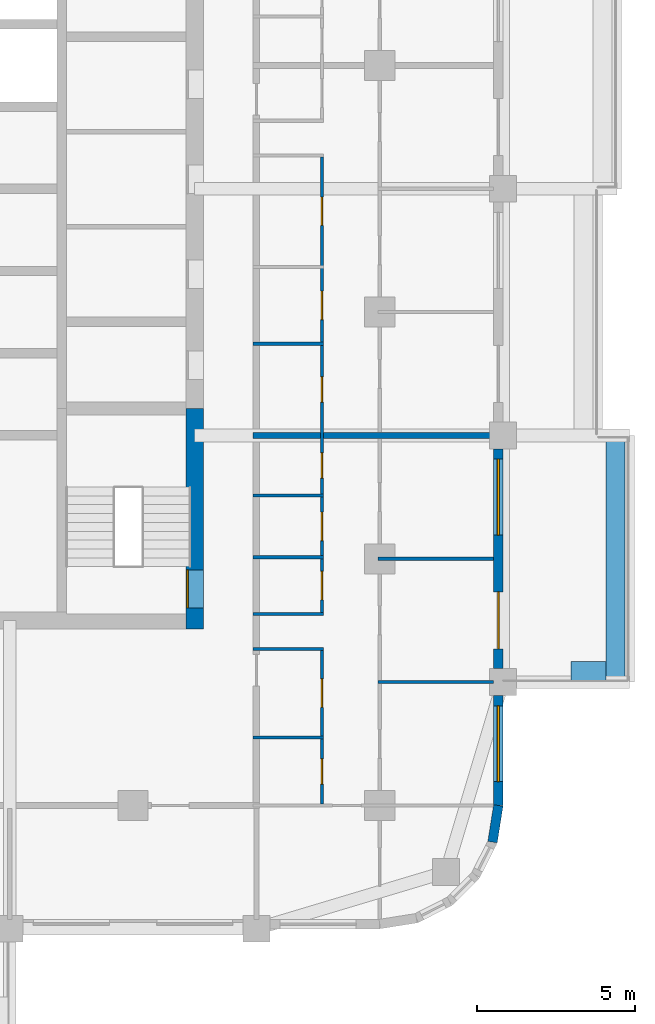
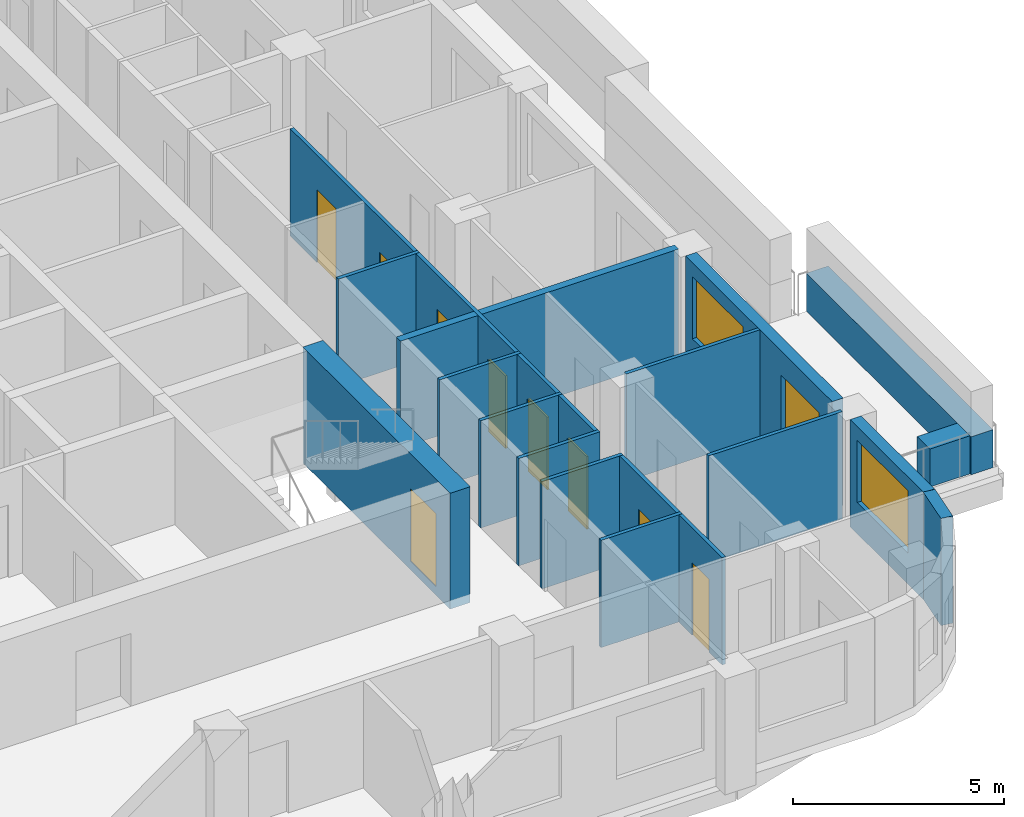
# One storey, part 6 of 14: 17 walls, 10 doors, 2 windows, 12 openings.
"""IFC4 building model written with IfcOpenShell, lengths in metres."""

from ifc_helpers import new_model, si_unit, direction, frame, frame_2d, origin, place, context, subcontext, project, spatial, rectangle, extrude, material, layer, layer_set, type_object, element, fill, save


model = new_model("IFC4")

# Units and contexts
model_context = context("Model", 3, precision=1e-05, world=origin(), true_north=direction((0.0, 1.0)))
body_context = subcontext(model_context, "Body", "Model", "MODEL_VIEW")
ifc_project = project(units=[si_unit("LENGTHUNIT", "METRE"), si_unit("AREAUNIT", "SQUARE_METRE"), si_unit("VOLUMEUNIT", "CUBIC_METRE"), si_unit("PLANEANGLEUNIT", "RADIAN"), si_unit("MASSUNIT", "GRAM", prefix="KILO")], contexts=[model_context])

# Site, building, storey
site_placement = place(None, origin())
site = spatial("IfcSite", under=ifc_project, at=site_placement, CompositionType="ELEMENT")
building_placement = place(site_placement, origin())
building = spatial("IfcBuilding", under=site, at=building_placement, Name="Ludao Terraces", CompositionType="ELEMENT")
storey_placement = place(building_placement, frame((0.0, 0.0, 140.699951171875)))
storey = spatial("IfcBuildingStorey", under=building, at=storey_placement, Name="L38", CompositionType="ELEMENT", Elevation=140.699951171875)

# Wall, opening, door
ifc_material_1 = material(Name="Concrete C60", Category="concrete")
ifc_layer_1 = layer(ifc_material_1, 0.550048828125)
ifc_layer_set_1 = layer_set([ifc_layer_1], Name="Core wall 550 C60")
wall_type_1 = type_object("IfcWallType", Name="Core wall 550 C60", PredefinedType="SOLIDWALL", material=ifc_layer_set_1)
wall_1_placement = place(storey_placement, frame((94.75, 54.97509765625, -0.25), z_axis=(0.0, 0.0, 1.0), x_axis=(0.0, 1.0, 0.0)))
wall_1 = element("IfcWall", 1, at=wall_1_placement, inside=storey, type_object=wall_type_1, Name="Core wall L38 outer-E-S3", PredefinedType="SOLIDWALL", context=body_context, shape_type="SweptSolid", body=[
    extrude(rectangle(XDim=6.974853515625, YDim=0.550048828125, at=frame_2d((3.4873046875, 0.0))), origin(), (0.0, 0.0, 1.0), 3.35009765625),
])
opening_1_placement = place(wall_1_placement, frame((0.675048828125, 0.0, 0.25)))
opening_1 = element("IfcOpeningElement", 2, at=opening_1_placement, cuts=wall_1, Name="Opening R13-020", PredefinedType="OPENING", context=body_context, shape_type="SweptSolid", body=[
    extrude(rectangle(XDim=1.199951171875, YDim=2.10009765625, at=frame_2d((0.60009765625, 1.050048828125))), frame((0.0, 0.28515625, 0.0), z_axis=(0.0, -1.0, 0.0), x_axis=(1.0, 0.0, 0.0)), (0.0, 0.0, 1.0), 0.570068359375),
])
ifc_material_2 = material(Name="Steel Q235", Category="steel")
door_type_1 = type_object("IfcDoorType", Name="INT Stair door 1200", OperationType="DOUBLE_DOOR_SINGLE_SWING", PredefinedType="DOOR", material=ifc_material_2)
door_1_placement = place(opening_1_placement, origin())
door_1 = element("IfcDoor", 3, at=door_1_placement, inside=storey, type_object=door_type_1, Name="DOOR 020", OperationType="DOUBLE_DOOR_SINGLE_SWING", OverallHeight=2.10009765625, OverallWidth=1.199951171875, PredefinedType="DOOR", context=body_context, shape_type="SweptSolid", body=[
    extrude(rectangle(XDim=1.199951171875, YDim=2.10009765625, at=frame_2d((0.60009765625, 1.050048828125))), frame((0.0, 0.26025390625, 0.0), z_axis=(0.0, -1.0, 0.0), x_axis=(1.0, 0.0, 0.0)), (0.0, 0.0, 1.0), 0.050048828125),
])
fill(opening_1, door_1)

# Walls
ifc_material_3 = material(Name="Concrete C40", Category="concrete")
ifc_layer_2 = layer(ifc_material_3, 0.60009765625)
ifc_layer_set_2 = layer_set([ifc_layer_2], Name="ENV Planter trough 600")
wall_type_2 = type_object("IfcWallType", Name="ENV Planter trough 600", PredefinedType="USERDEFINED", material=ifc_layer_set_2)
wall_2_placement = place(storey_placement, frame((108.050048828125, 53.300048828125, 0.0), z_axis=(0.0, 0.0, 1.0), x_axis=(0.0, 1.0, 0.0)))
element("IfcWall", 4, at=wall_2_placement, inside=storey, type_object=wall_type_2, Name="PL-L38-E1", ObjectType="PLANTER", PredefinedType="USERDEFINED", context=body_context, shape_type="SweptSolid", body=[
    extrude(rectangle(XDim=7.800048828125, YDim=0.60009765625, at=frame_2d((3.89990234375, 0.0))), origin(), (0.0, 0.0, 1.0), 1.10009765625),
])
wall_3_placement = place(storey_placement, frame((107.75, 53.64990234375, 0.0), z_axis=(0.0, 0.0, 1.0), x_axis=(-1.0, 0.0, 0.0)))
element("IfcWall", 5, at=wall_3_placement, inside=storey, type_object=wall_type_2, Name="PL-L38-E1-SA", ObjectType="PLANTER", PredefinedType="USERDEFINED", context=body_context, shape_type="SweptSolid", body=[
    extrude(rectangle(XDim=1.10009765625, YDim=0.60009765625, at=frame_2d((0.550048828125, 0.0))), origin(), (0.0, 0.0, 1.0), 1.10009765625),
])

# Wall, opening, window
ifc_material_4 = material(Name="Granite cladding", Category="masonry")
ifc_layer_3 = layer(ifc_material_4, 0.0400390625, Category="stone")
ifc_material_5 = material(Name="Mineral wool")
ifc_layer_4 = layer(ifc_material_5, 0.06005859375)
ifc_layer_5 = layer(ifc_material_3, 0.199951171875, Category="concrete")
ifc_layer_set_3 = layer_set([ifc_layer_3, ifc_layer_4, ifc_layer_5], Name="ENV Stone-clad wall 300")
wall_type_3 = type_object("IfcWallType", Name="ENV Stone-clad wall 300", PredefinedType="SOLIDWALL", material=ifc_layer_set_3)
wall_4_placement = place(storey_placement, frame((104.35009765625, 49.39990234375, 0.0), z_axis=(0.0, 0.0, 1.0), x_axis=(0.0, 1.0, 0.0)))
wall_4 = element("IfcWall", 6, at=wall_4_placement, inside=storey, type_object=wall_type_3, Name="EW-L38-E1", PredefinedType="SOLIDWALL", context=body_context, shape_type="SweptSolid", body=[
    extrude(rectangle(XDim=3.47509765625, YDim=0.300048828125, at=frame_2d((1.737548828125, 0.0))), origin(), (0.0, 0.0, 1.0), 3.10009765625),
])
opening_2_placement = place(wall_4_placement, frame((0.75, 0.0, 0.89990234375)))
opening_2 = element("IfcOpeningElement", 7, at=opening_2_placement, cuts=wall_4, Name="Opening W1", PredefinedType="OPENING", context=body_context, shape_type="SweptSolid", body=[
    extrude(rectangle(XDim=2.39990234375, YDim=1.800048828125, at=frame_2d((1.199951171875, 0.89990234375))), frame((0.0, 0.16015625, 0.0), z_axis=(0.0, -1.0, 0.0), x_axis=(1.0, 0.0, 0.0)), (0.0, 0.0, 1.0), 0.320068359375),
])
ifc_material_6 = material(Name="Clear glass in aluminium frame", Category="aluminium")
ifc_layer_6 = layer(ifc_material_6, 0.06005859375)
ifc_layer_set_4 = layer_set([ifc_layer_6], Name="ENV Window W1 2400x1800")
window_type = type_object("IfcWindowType", Name="ENV Window W1 2400x1800", PartitioningType="DOUBLE_PANEL_VERTICAL", PredefinedType="WINDOW", material=ifc_layer_set_4)
window_1_placement = place(opening_2_placement, origin())
window_1 = element("IfcWindow", 8, at=window_1_placement, inside=storey, type_object=window_type, Name="W-L38-E1-1", OverallHeight=1.800048828125, OverallWidth=2.39990234375, PartitioningType="DOUBLE_PANEL_VERTICAL", PredefinedType="WINDOW", context=body_context, shape_type="SweptSolid", body=[
    extrude(rectangle(XDim=2.39990234375, YDim=1.800048828125, at=frame_2d((1.199951171875, 0.89990234375))), frame((0.0, 0.030029296875, 0.0), z_axis=(0.0, -1.0, 0.0), x_axis=(1.0, 0.0, 0.0)), (0.0, 0.0, 1.0), 0.06005859375),
])
fill(opening_2, window_1)

# Wall, openings, door, window
wall_5_placement = place(storey_placement, frame((104.35009765625, 53.72509765625, 0.0), z_axis=(0.0, 0.0, 1.0), x_axis=(0.0, 1.0, 0.0)))
wall_5 = element("IfcWall", 9, at=wall_5_placement, inside=storey, type_object=wall_type_3, Name="EW-L38-E2", PredefinedType="SOLIDWALL", context=body_context, shape_type="SweptSolid", body=[
    extrude(rectangle(XDim=6.949951171875, YDim=0.300048828125, at=frame_2d((3.47509765625, 0.0))), origin(), (0.0, 0.0, 1.0), 3.10009765625),
])
opening_3_placement = place(wall_5_placement, frame((0.625, 0.0, 0.0)))
opening_3 = element("IfcOpeningElement", 10, at=opening_3_placement, cuts=wall_5, Name="Opening BD", PredefinedType="OPENING", context=body_context, shape_type="SweptSolid", body=[
    extrude(rectangle(XDim=1.800048828125, YDim=2.39990234375, at=frame_2d((0.89990234375, 1.199951171875))), frame((0.0, 0.16015625, 0.0), z_axis=(0.0, -1.0, 0.0), x_axis=(1.0, 0.0, 0.0)), (0.0, 0.0, 1.0), 0.320068359375),
])
opening_4_placement = place(wall_5_placement, frame((4.22509765625, 0.0, 0.89990234375)))
opening_4 = element("IfcOpeningElement", 11, at=opening_4_placement, cuts=wall_5, Name="Opening W1", PredefinedType="OPENING", context=body_context, shape_type="SweptSolid", body=[
    extrude(rectangle(XDim=2.39990234375, YDim=1.800048828125, at=frame_2d((1.199951171875, 0.89990234375))), frame((0.0, 0.16015625, 0.0), z_axis=(0.0, -1.0, 0.0), x_axis=(1.0, 0.0, 0.0)), (0.0, 0.0, 1.0), 0.320068359375),
])
ifc_material_7 = material(Name="Aluminium glazed door", Category="aluminium")
ifc_layer_7 = layer(ifc_material_7, 0.06005859375)
ifc_layer_set_5 = layer_set([ifc_layer_7], Name="ENV Balcony door BD 1800x2400")
door_type_2 = type_object("IfcDoorType", Name="ENV Balcony door BD 1800x2400", OperationType="DOUBLE_DOOR_SINGLE_SWING", PredefinedType="DOOR", material=ifc_layer_set_5)
door_2_placement = place(opening_3_placement, origin())
door_2 = element("IfcDoor", 12, at=door_2_placement, inside=storey, type_object=door_type_2, Name="BD-L38-E2-1", OperationType="DOUBLE_DOOR_SINGLE_SWING", OverallHeight=2.39990234375, OverallWidth=1.800048828125, PredefinedType="DOOR", context=body_context, shape_type="SweptSolid", body=[
    extrude(rectangle(XDim=1.800048828125, YDim=2.39990234375, at=frame_2d((0.89990234375, 1.199951171875))), frame((0.0, 0.02490234375, 0.0), z_axis=(0.0, -1.0, 0.0), x_axis=(1.0, 0.0, 0.0)), (0.0, 0.0, 1.0), 0.050048828125),
])
fill(opening_3, door_2)
window_2_placement = place(opening_4_placement, origin())
window_2 = element("IfcWindow", 13, at=window_2_placement, inside=storey, type_object=window_type, Name="W-L38-E2-2", OverallHeight=1.800048828125, OverallWidth=2.39990234375, PartitioningType="DOUBLE_PANEL_VERTICAL", PredefinedType="WINDOW", context=body_context, shape_type="SweptSolid", body=[
    extrude(rectangle(XDim=2.39990234375, YDim=1.800048828125, at=frame_2d((1.199951171875, 0.89990234375))), frame((0.0, 0.030029296875, 0.0), z_axis=(0.0, -1.0, 0.0), x_axis=(1.0, 0.0, 0.0)), (0.0, 0.0, 1.0), 0.06005859375),
])
fill(opening_4, window_2)

# Walls
wall_6_placement = place(storey_placement, frame((104.16650390625, 48.2412109375, 0.0), z_axis=(0.0, 0.0, 1.0), x_axis=(0.156496880861, 0.987678452879, 0.0)))
element("IfcWall", 14, at=wall_6_placement, inside=storey, type_object=wall_type_3, Name="EW-L38-SE5", PredefinedType="SOLIDWALL", context=body_context, shape_type="SweptSolid", body=[
    extrude(rectangle(XDim=1.173095703125, YDim=0.300048828125, at=frame_2d((0.58642578125, 0.0))), origin(), (0.0, 0.0, 1.0), 3.10009765625),
])
ifc_material_8 = material(Name="Gypsum plasterboard", Category="gypsum")
ifc_layer_8 = layer(ifc_material_8, 0.012451171875, Category="gypsum")
ifc_layer_9 = layer(ifc_material_5, 0.06005859375, Name="insulation")
ifc_layer_10 = layer(ifc_material_2, 0.014892578125, Name="stud")
ifc_layer_11 = layer(ifc_material_8, 0.012451171875, Category="gypsum")
ifc_layer_set_6 = layer_set([ifc_layer_8, ifc_layer_9, ifc_layer_10, ifc_layer_11], Name="INT Partition 100")
wall_type_4 = type_object("IfcWallType", Name="INT Partition 100", PredefinedType="PARTITIONING", material=ifc_layer_set_6)
wall_7_placement = place(storey_placement, frame((96.60009765625, 51.550048828125, 0.0), z_axis=(0.0, 0.0, 1.0), x_axis=(1.0, 0.0, 0.0)))
element("IfcWall", 15, at=wall_7_placement, inside=storey, type_object=wall_type_4, Name="PW-L38-PW004", PredefinedType="PARTITIONING", context=body_context, shape_type="SweptSolid", body=[
    extrude(rectangle(XDim=2.219970703125, YDim=0.10009765625, at=frame_2d((1.10986328125, 0.0))), origin(), (0.0, 0.0, 1.0), 3.10009765625),
])
wall_8_placement = place(storey_placement, frame((100.550048828125, 53.300048828125, 0.0), z_axis=(0.0, 0.0, 1.0), x_axis=(1.0, 0.0, 0.0)))
element("IfcWall", 16, at=wall_8_placement, inside=storey, type_object=wall_type_4, Name="PW-L38-PW006", PredefinedType="PARTITIONING", context=body_context, shape_type="SweptSolid", body=[
    extrude(rectangle(XDim=3.650146484375, YDim=0.10009765625, at=frame_2d((1.8251953125, 0.0))), origin(), (0.0, 0.0, 1.0), 3.10009765625),
])
for number, where, z_axis, x_axis, name in (
    (17, (96.60009765625, 54.35009765625, 0.0), (0.0, 0.0, 1.0), (1.0, 0.0, 0.0), "PW-L38-PW008"),
    (18, (96.60009765625, 55.449951171875, 0.0), (0.0, 0.0, 1.0), (1.0, 0.0, 0.0), "PW-L38-PW010"),
):
    element("IfcWall", number, at=place(storey_placement, frame(where, z_axis=z_axis, x_axis=x_axis)), inside=storey, type_object=wall_type_4, Name=name, PredefinedType="PARTITIONING", context=body_context, shape_type="SweptSolid", body=[
        extrude(rectangle(XDim=2.219970703125, YDim=0.10009765625, at=frame_2d((1.10986328125, 0.0))), origin(), (0.0, 0.0, 1.0), 3.10009765625),
    ])
wall_9_placement = place(storey_placement, frame((100.550048828125, 57.199951171875, 0.0), z_axis=(0.0, 0.0, 1.0), x_axis=(1.0, 0.0, 0.0)))
element("IfcWall", 19, at=wall_9_placement, inside=storey, type_object=wall_type_4, Name="PW-L38-PW013", PredefinedType="PARTITIONING", context=body_context, shape_type="SweptSolid", body=[
    extrude(rectangle(XDim=3.650146484375, YDim=0.10009765625, at=frame_2d((1.8251953125, 0.0))), origin(), (0.0, 0.0, 1.0), 3.10009765625),
])
for number, where, z_axis, x_axis, name in (
    (20, (96.60009765625, 57.25, 0.0), (0.0, 0.0, 1.0), (1.0, 0.0, 0.0), "PW-L38-PW014"),
    (21, (96.60009765625, 59.199951171875, 0.0), (0.0, 0.0, 1.0), (1.0, 0.0, 0.0), "PW-L38-PW016"),
    (22, (96.60009765625, 64.0, 0.0), (0.0, 0.0, 1.0), (1.0, 0.0, 0.0), "PW-L38-PW021"),
):
    element("IfcWall", number, at=place(storey_placement, frame(where, z_axis=z_axis, x_axis=x_axis)), inside=storey, type_object=wall_type_4, Name=name, PredefinedType="PARTITIONING", context=body_context, shape_type="SweptSolid", body=[
        extrude(rectangle(XDim=2.219970703125, YDim=0.10009765625, at=frame_2d((1.10986328125, 0.0))), origin(), (0.0, 0.0, 1.0), 3.10009765625),
    ])

# Wall, openings, doors
wall_10_placement = place(storey_placement, frame((98.77001953125, 49.4501953125, 0.0), z_axis=(0.0, 0.0, 1.0), x_axis=(0.0, 1.0, 0.0)))
wall_10 = element("IfcWall", 23, at=wall_10_placement, inside=storey, type_object=wall_type_4, Name="PW-L38-PW064", PredefinedType="PARTITIONING", context=body_context, shape_type="SweptSolid", body=[
    extrude(rectangle(XDim=4.849853515625, YDim=0.10009765625, at=frame_2d((2.4248046875, 0.0))), origin(), (0.0, 0.0, 1.0), 3.10009765625),
])
opening_5_placement = place(wall_10_placement, frame((0.625, 0.0, 0.0)))
opening_5 = element("IfcOpeningElement", 24, at=opening_5_placement, cuts=wall_10, Name="Opening R13-009", PredefinedType="OPENING", context=body_context, shape_type="SweptSolid", body=[
    extrude(rectangle(XDim=0.800048828125, YDim=2.10009765625, at=frame_2d((0.39990234375, 1.050048828125))), frame((0.0, 0.06005859375, 0.0), z_axis=(0.0, -1.0, 0.0), x_axis=(1.0, 0.0, 0.0)), (0.0, 0.0, 1.0), 0.1201171875),
])
opening_6_placement = place(wall_10_placement, frame((3.0498046875, 0.0, 0.0)))
opening_6 = element("IfcOpeningElement", 25, at=opening_6_placement, cuts=wall_10, Name="Opening R13-013", PredefinedType="OPENING", context=body_context, shape_type="SweptSolid", body=[
    extrude(rectangle(XDim=0.89990234375, YDim=2.10009765625, at=frame_2d((0.449951171875, 1.050048828125))), frame((0.0, 0.06005859375, 0.0), z_axis=(0.0, -1.0, 0.0), x_axis=(1.0, 0.0, 0.0)), (0.0, 0.0, 1.0), 0.1201171875),
])
ifc_material_9 = material(Name="Timber door leaf", Category="wood")
door_type_3 = type_object("IfcDoorType", Name="INT Room door 900", OperationType="SINGLE_SWING_LEFT", PredefinedType="DOOR", material=ifc_material_9)
door_3_placement = place(opening_6_placement, origin())
door_3 = element("IfcDoor", 26, at=door_3_placement, inside=storey, type_object=door_type_3, Name="DOOR 013", OperationType="SINGLE_SWING_LEFT", OverallHeight=2.10009765625, OverallWidth=0.89990234375, PredefinedType="DOOR", context=body_context, shape_type="SweptSolid", body=[
    extrude(rectangle(XDim=0.89990234375, YDim=2.10009765625, at=frame_2d((0.449951171875, 1.050048828125))), frame((0.0, 0.02490234375, 0.0), z_axis=(0.0, -1.0, 0.0), x_axis=(1.0, 0.0, 0.0)), (0.0, 0.0, 1.0), 0.050048828125),
])
fill(opening_6, door_3)
door_type_4 = type_object("IfcDoorType", Name="INT Store door 800", OperationType="SINGLE_SWING_LEFT", PredefinedType="DOOR", material=ifc_material_9)
door_4_placement = place(opening_5_placement, origin())
door_4 = element("IfcDoor", 27, at=door_4_placement, inside=storey, type_object=door_type_4, Name="DOOR 009", OperationType="SINGLE_SWING_LEFT", OverallHeight=2.10009765625, OverallWidth=0.800048828125, PredefinedType="DOOR", context=body_context, shape_type="SweptSolid", body=[
    extrude(rectangle(XDim=0.800048828125, YDim=2.10009765625, at=frame_2d((0.39990234375, 1.050048828125))), frame((0.0, 0.02490234375, 0.0), z_axis=(0.0, -1.0, 0.0), x_axis=(1.0, 0.0, 0.0)), (0.0, 0.0, 1.0), 0.050048828125),
])
fill(opening_5, door_4)

wall_11_placement = place(storey_placement, frame((98.77001953125, 55.5, 0.0), z_axis=(0.0, 0.0, 1.0), x_axis=(0.0, 1.0, 0.0)))
wall_11 = element("IfcWall", 28, at=wall_11_placement, inside=storey, type_object=wall_type_4, Name="PW-L38-PW065", PredefinedType="PARTITIONING", context=body_context, shape_type="SweptSolid", body=[
    extrude(rectangle(XDim=14.400146484375, YDim=0.10009765625, at=frame_2d((7.2001953125, 0.0))), origin(), (0.0, 0.0, 1.0), 3.10009765625),
])
opening_7_placement = place(wall_11_placement, frame((0.400146484375, 0.0, 0.0)))
opening_7 = element("IfcOpeningElement", 29, at=opening_7_placement, cuts=wall_11, Name="Opening R13-021", PredefinedType="OPENING", context=body_context, shape_type="SweptSolid", body=[
    extrude(rectangle(XDim=0.89990234375, YDim=2.10009765625, at=frame_2d((0.449951171875, 1.050048828125))), frame((0.0, 0.06005859375, 0.0), z_axis=(0.0, -1.0, 0.0), x_axis=(1.0, 0.0, 0.0)), (0.0, 0.0, 1.0), 0.1201171875),
])
opening_8_placement = place(wall_11_placement, frame((2.275146484375, 0.0, 0.0)))
opening_8 = element("IfcOpeningElement", 30, at=opening_8_placement, cuts=wall_11, Name="Opening R13-025", PredefinedType="OPENING", context=body_context, shape_type="SweptSolid", body=[
    extrude(rectangle(XDim=0.89990234375, YDim=2.10009765625, at=frame_2d((0.449951171875, 1.050048828125))), frame((0.0, 0.06005859375, 0.0), z_axis=(0.0, -1.0, 0.0), x_axis=(1.0, 0.0, 0.0)), (0.0, 0.0, 1.0), 0.1201171875),
])
opening_9_placement = place(wall_11_placement, frame((4.25, 0.0, 0.0)))
opening_9 = element("IfcOpeningElement", 31, at=opening_9_placement, cuts=wall_11, Name="Opening R13-029", PredefinedType="OPENING", context=body_context, shape_type="SweptSolid", body=[
    extrude(rectangle(XDim=0.800048828125, YDim=2.10009765625, at=frame_2d((0.39990234375, 1.050048828125))), frame((0.0, 0.06005859375, 0.0), z_axis=(0.0, -1.0, 0.0), x_axis=(1.0, 0.0, 0.0)), (0.0, 0.0, 1.0), 0.1201171875),
])
opening_10_placement = place(wall_11_placement, frame((6.650146484375, 0.0, 0.0)))
opening_10 = element("IfcOpeningElement", 32, at=opening_10_placement, cuts=wall_11, Name="Opening R13-034", PredefinedType="OPENING", context=body_context, shape_type="SweptSolid", body=[
    extrude(rectangle(XDim=0.800048828125, YDim=2.10009765625, at=frame_2d((0.39990234375, 1.050048828125))), frame((0.0, 0.06005859375, 0.0), z_axis=(0.0, -1.0, 0.0), x_axis=(1.0, 0.0, 0.0)), (0.0, 0.0, 1.0), 0.1201171875),
])
opening_11_placement = place(wall_11_placement, frame((9.26513671875, 0.0, 0.0)))
opening_11 = element("IfcOpeningElement", 33, at=opening_11_placement, cuts=wall_11, Name="Opening R13-041", PredefinedType="OPENING", context=body_context, shape_type="SweptSolid", body=[
    extrude(rectangle(XDim=0.89990234375, YDim=2.10009765625, at=frame_2d((0.449951171875, 1.050048828125))), frame((0.0, 0.06005859375, 0.0), z_axis=(0.0, -1.0, 0.0), x_axis=(1.0, 0.0, 0.0)), (0.0, 0.0, 1.0), 0.1201171875),
])
opening_12_placement = place(wall_11_placement, frame((12.239990234375, 0.0, 0.0)))
opening_12 = element("IfcOpeningElement", 34, at=opening_12_placement, cuts=wall_11, Name="Opening R13-049", PredefinedType="OPENING", context=body_context, shape_type="SweptSolid", body=[
    extrude(rectangle(XDim=0.89990234375, YDim=2.10009765625, at=frame_2d((0.449951171875, 1.050048828125))), frame((0.0, 0.06005859375, 0.0), z_axis=(0.0, -1.0, 0.0), x_axis=(1.0, 0.0, 0.0)), (0.0, 0.0, 1.0), 0.1201171875),
])
door_type_5 = type_object("IfcDoorType", Name="INT Bathroom door 900", OperationType="SINGLE_SWING_LEFT", PredefinedType="DOOR", material=ifc_material_9)
door_5_placement = place(opening_7_placement, origin())
door_5 = element("IfcDoor", 35, at=door_5_placement, inside=storey, type_object=door_type_5, Name="DOOR 021", OperationType="SINGLE_SWING_RIGHT", OverallHeight=2.10009765625, OverallWidth=0.89990234375, PredefinedType="DOOR", context=body_context, shape_type="SweptSolid", body=[
    extrude(rectangle(XDim=0.89990234375, YDim=2.10009765625, at=frame_2d((0.449951171875, 1.050048828125))), frame((0.0, 0.02490234375, 0.0), z_axis=(0.0, -1.0, 0.0), x_axis=(1.0, 0.0, 0.0)), (0.0, 0.0, 1.0), 0.050048828125),
])
fill(opening_7, door_5)
door_6_placement = place(opening_8_placement, origin())
door_6 = element("IfcDoor", 36, at=door_6_placement, inside=storey, type_object=door_type_5, Name="DOOR 025", OperationType="SINGLE_SWING_LEFT", OverallHeight=2.10009765625, OverallWidth=0.89990234375, PredefinedType="DOOR", context=body_context, shape_type="SweptSolid", body=[
    extrude(rectangle(XDim=0.89990234375, YDim=2.10009765625, at=frame_2d((0.449951171875, 1.050048828125))), frame((0.0, 0.02490234375, 0.0), z_axis=(0.0, -1.0, 0.0), x_axis=(1.0, 0.0, 0.0)), (0.0, 0.0, 1.0), 0.050048828125),
])
fill(opening_8, door_6)
door_7_placement = place(opening_11_placement, origin())
door_7 = element("IfcDoor", 37, at=door_7_placement, inside=storey, type_object=door_type_5, Name="DOOR 041", OperationType="SINGLE_SWING_LEFT", OverallHeight=2.10009765625, OverallWidth=0.89990234375, PredefinedType="DOOR", context=body_context, shape_type="SweptSolid", body=[
    extrude(rectangle(XDim=0.89990234375, YDim=2.10009765625, at=frame_2d((0.449951171875, 1.050048828125))), frame((0.0, 0.02490234375, 0.0), z_axis=(0.0, -1.0, 0.0), x_axis=(1.0, 0.0, 0.0)), (0.0, 0.0, 1.0), 0.050048828125),
])
fill(opening_11, door_7)
door_8_placement = place(opening_12_placement, origin())
door_8 = element("IfcDoor", 38, at=door_8_placement, inside=storey, type_object=door_type_3, Name="DOOR 049", OperationType="SINGLE_SWING_RIGHT", OverallHeight=2.10009765625, OverallWidth=0.89990234375, PredefinedType="DOOR", context=body_context, shape_type="SweptSolid", body=[
    extrude(rectangle(XDim=0.89990234375, YDim=2.10009765625, at=frame_2d((0.449951171875, 1.050048828125))), frame((0.0, 0.02490234375, 0.0), z_axis=(0.0, -1.0, 0.0), x_axis=(1.0, 0.0, 0.0)), (0.0, 0.0, 1.0), 0.050048828125),
])
fill(opening_12, door_8)
door_9_placement = place(opening_9_placement, origin())
door_9 = element("IfcDoor", 39, at=door_9_placement, inside=storey, type_object=door_type_4, Name="DOOR 029", OperationType="SINGLE_SWING_RIGHT", OverallHeight=2.10009765625, OverallWidth=0.800048828125, PredefinedType="DOOR", context=body_context, shape_type="SweptSolid", body=[
    extrude(rectangle(XDim=0.800048828125, YDim=2.10009765625, at=frame_2d((0.39990234375, 1.050048828125))), frame((0.0, 0.02490234375, 0.0), z_axis=(0.0, -1.0, 0.0), x_axis=(1.0, 0.0, 0.0)), (0.0, 0.0, 1.0), 0.050048828125),
])
fill(opening_9, door_9)
door_10_placement = place(opening_10_placement, origin())
door_10 = element("IfcDoor", 40, at=door_10_placement, inside=storey, type_object=door_type_4, Name="DOOR 034", OperationType="SINGLE_SWING_LEFT", OverallHeight=2.10009765625, OverallWidth=0.800048828125, PredefinedType="DOOR", context=body_context, shape_type="SweptSolid", body=[
    extrude(rectangle(XDim=0.800048828125, YDim=2.10009765625, at=frame_2d((0.39990234375, 1.050048828125))), frame((0.0, 0.02490234375, 0.0), z_axis=(0.0, -1.0, 0.0), x_axis=(1.0, 0.0, 0.0)), (0.0, 0.0, 1.0), 0.050048828125),
])
fill(opening_10, door_10)

# Wall
ifc_material_10 = material(Name="Autoclaved aerated concrete block B06 A3.5", Category="concrete")
ifc_layer_12 = layer(ifc_material_10, 0.199951171875)
ifc_layer_set_7 = layer_set([ifc_layer_12], Name="INT Party wall 200")
wall_type_5 = type_object("IfcWallType", Name="INT Party wall 200", PredefinedType="PARTITIONING", material=ifc_layer_set_7)
wall_12_placement = place(storey_placement, frame((96.60009765625, 61.10009765625, 0.0), z_axis=(0.0, 0.0, 1.0), x_axis=(1.0, 0.0, 0.0)))
element("IfcWall", 41, at=wall_12_placement, inside=storey, type_object=wall_type_5, Name="PW-L38-PW019", PredefinedType="PARTITIONING", context=body_context, shape_type="SweptSolid", body=[
    extrude(rectangle(XDim=7.60009765625, YDim=0.199951171875, at=frame_2d((3.800048828125, 0.0))), origin(), (0.0, 0.0, 1.0), 3.10009765625),
])

save(model, "model.ifc")
